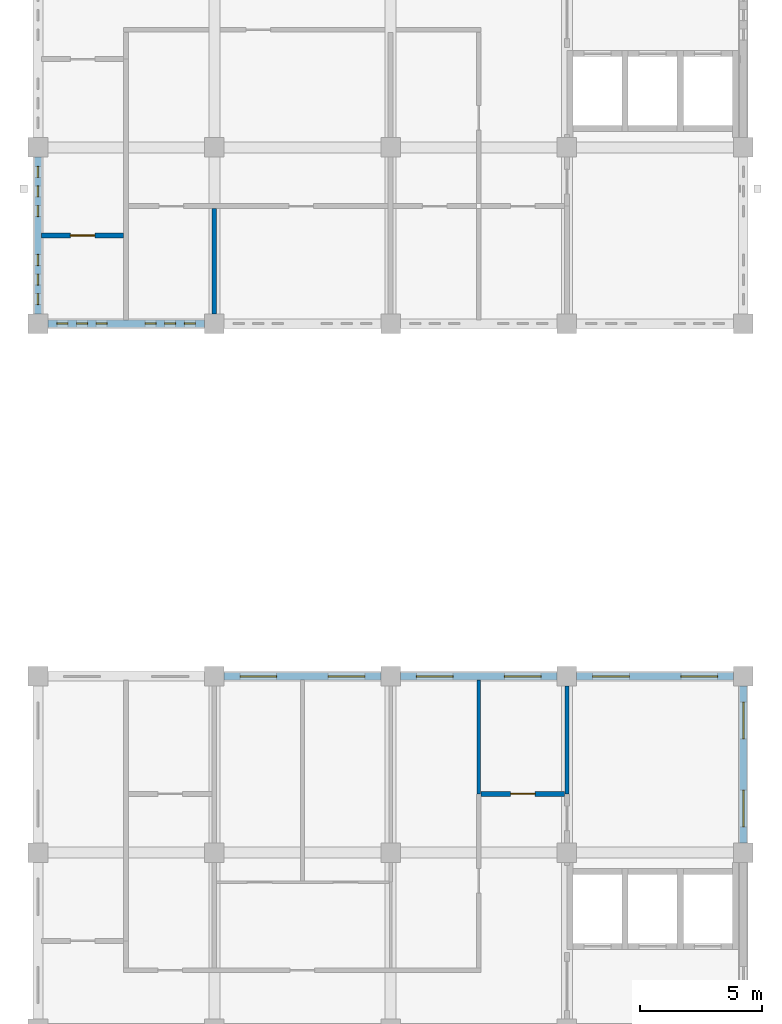
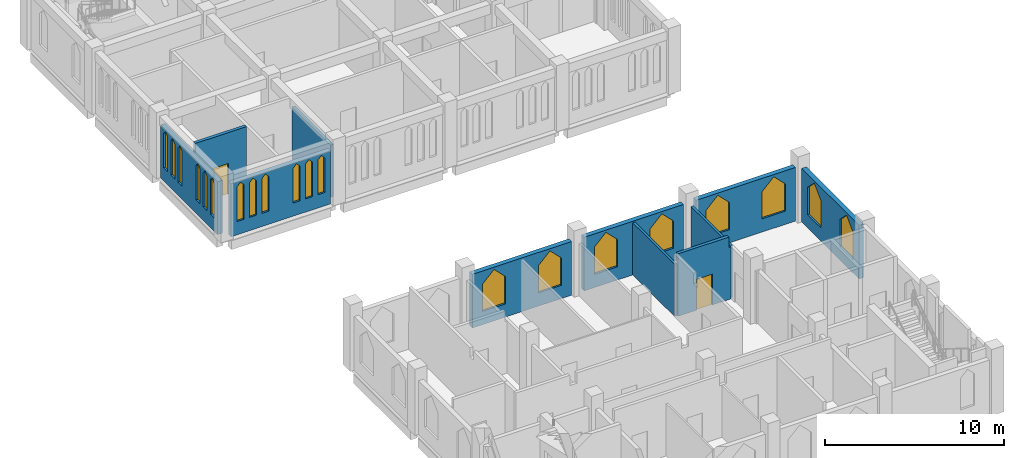
# One storey, part 5 of 13: 20 windows, 11 walls, 2 doors, 22 openings.
"""IFC4 building model written with IfcOpenShell, lengths in metres."""

from ifc_helpers import new_model, si_unit, direction, frame, frame_2d, origin, place, context, subcontext, project, spatial, polyline, rectangle, outline, extrude, material, layer, layer_set, type_object, element, fill, save


model = new_model("IFC4")

# Units and contexts
model_context = context("Model", 3, precision=1e-05, world=origin(), true_north=direction((0.0, 1.0)))
body_context = subcontext(model_context, "Body", "Model", "MODEL_VIEW")
ifc_project = project(units=[si_unit("LENGTHUNIT", "METRE"), si_unit("AREAUNIT", "SQUARE_METRE"), si_unit("VOLUMEUNIT", "CUBIC_METRE"), si_unit("PLANEANGLEUNIT", "RADIAN"), si_unit("MASSUNIT", "GRAM", prefix="KILO")], contexts=[model_context])

# Site, building, storey
site_placement = place(None, origin())
site = spatial("IfcSite", under=ifc_project, at=site_placement, CompositionType="ELEMENT")
building_placement = place(site_placement, origin())
building = spatial("IfcBuilding", under=site, at=building_placement, Name="Silangan Lancet Faculty of Sciences", CompositionType="ELEMENT")
storey_placement = place(building_placement, frame((0.0, 0.0, 49.800048828125)))
storey = spatial("IfcBuildingStorey", under=building, at=storey_placement, Name="L10", CompositionType="ELEMENT", Elevation=49.800048828125)

# Wall, openings, windows
ifc_material_1 = material(Name="Concrete C40/50 precast", Category="concrete")
ifc_layer_1 = layer(ifc_material_1, 0.300048828125)
ifc_layer_set_1 = layer_set([ifc_layer_1], Name="Concrete C40/50 precast")
wall_type_1 = type_object("IfcWallType", Name="EW1 Precast cladding wall", PredefinedType="STANDARD", material=ifc_layer_set_1)
wall_1_placement = place(storey_placement, frame((28.800048828125, 14.800048828125, 0.0), z_axis=(0.0, 0.0, 1.0), x_axis=(0.0, 1.0, 0.0)))
wall_1 = element("IfcWall", 1, at=wall_1_placement, inside=storey, type_object=wall_type_1, Name="EW-L10-E-ST-02", PredefinedType="STANDARD", context=body_context, shape_type="SweptSolid", body=[
    extrude(rectangle(XDim=6.39990234375, YDim=0.300048828125, at=frame_2d((3.199951171875, 0.0))), origin(), (0.0, 0.0, 1.0), 3.64990234375),
])
opening_1_placement = place(wall_1_placement, frame((0.64990234375, 0.0, 0.89990234375)))
opening_1 = element("IfcOpeningElement", 2, at=opening_1_placement, cuts=wall_1, Name="Opening W26", PredefinedType="OPENING", context=body_context, shape_type="SweptSolid", body=[
    extrude(outline(polyline([(0.0, 0.0), (1.5, 0.0), (1.5, 1.85009765625), (0.75, 2.60009765625), (0.0, 1.85009765625), (0.0, 0.0)])), frame((0.0, 0.159912109375, 0.0), z_axis=(0.0, -1.0, 0.0), x_axis=(1.0, 0.0, 0.0)), (0.0, 0.0, 1.0), 0.320068359375),
])
opening_2_placement = place(wall_1_placement, frame((4.25, 0.0, 0.89990234375)))
opening_2 = element("IfcOpeningElement", 3, at=opening_2_placement, cuts=wall_1, Name="Opening W26", PredefinedType="OPENING", context=body_context, shape_type="SweptSolid", body=[
    extrude(outline(polyline([(0.0, 0.0), (1.5, 0.0), (1.5, 1.85009765625), (0.75, 2.60009765625), (0.0, 1.85009765625), (0.0, 0.0)])), frame((0.0, 0.159912109375, 0.0), z_axis=(0.0, -1.0, 0.0), x_axis=(1.0, 0.0, 0.0)), (0.0, 0.0, 1.0), 0.320068359375),
])
ifc_material_2 = material(Name="Aluminium frame, laminated double glazing", Category="aluminium")
window_type_1 = type_object("IfcWindowType", Name="W26 Lancet window 1500 x 2600", PartitioningType="SINGLE_PANEL", PredefinedType="WINDOW", material=ifc_material_2)
window_1_placement = place(opening_1_placement, origin())
window_1 = element("IfcWindow", 4, at=window_1_placement, inside=storey, type_object=window_type_1, Name="WIN-L10-E-ST-02a", OverallHeight=2.60009765625, OverallWidth=1.5, PartitioningType="SINGLE_PANEL", PredefinedType="WINDOW", context=body_context, shape_type="SweptSolid", body=[
    extrude(outline(polyline([(0.0, 0.0), (1.5, 0.0), (1.5, 1.85009765625), (0.75, 2.60009765625), (0.0, 1.85009765625), (0.0, 0.0)])), frame((0.0, 0.030029296875, 0.0), z_axis=(0.0, -1.0, 0.0), x_axis=(1.0, 0.0, 0.0)), (0.0, 0.0, 1.0), 0.06005859375),
])
fill(opening_1, window_1)
window_2_placement = place(opening_2_placement, origin())
window_2 = element("IfcWindow", 5, at=window_2_placement, inside=storey, type_object=window_type_1, Name="WIN-L10-E-ST-02b", OverallHeight=2.60009765625, OverallWidth=1.5, PartitioningType="SINGLE_PANEL", PredefinedType="WINDOW", context=body_context, shape_type="SweptSolid", body=[
    extrude(outline(polyline([(0.0, 0.0), (1.5, 0.0), (1.5, 1.85009765625), (0.75, 2.60009765625), (0.0, 1.85009765625), (0.0, 0.0)])), frame((0.0, 0.030029296875, 0.0), z_axis=(0.0, -1.0, 0.0), x_axis=(1.0, 0.0, 0.0)), (0.0, 0.0, 1.0), 0.06005859375),
])
fill(opening_2, window_2)

wall_2_placement = place(storey_placement, frame((28.39990234375, 21.60009765625, 0.0), z_axis=(0.0, 0.0, 1.0), x_axis=(-1.0, 0.0, 0.0)))
wall_2 = element("IfcWall", 6, at=wall_2_placement, inside=storey, type_object=wall_type_1, Name="EW-L10-N-ST-00", PredefinedType="STANDARD", context=body_context, shape_type="SweptSolid", body=[
    extrude(rectangle(XDim=6.39990234375, YDim=0.300048828125, at=frame_2d((3.199951171875, 0.0))), origin(), (0.0, 0.0, 1.0), 3.64990234375),
])
opening_3_placement = place(wall_2_placement, frame((0.64990234375, 0.0, 0.89990234375)))
opening_3 = element("IfcOpeningElement", 7, at=opening_3_placement, cuts=wall_2, Name="Opening W26", PredefinedType="OPENING", context=body_context, shape_type="SweptSolid", body=[
    extrude(outline(polyline([(0.0, 0.0), (1.5, 0.0), (1.5, 1.85009765625), (0.75, 2.60009765625), (0.0, 1.85009765625), (0.0, 0.0)])), frame((0.0, 0.159912109375, 0.0), z_axis=(0.0, -1.0, 0.0), x_axis=(1.0, 0.0, 0.0)), (0.0, 0.0, 1.0), 0.320068359375),
])
opening_4_placement = place(wall_2_placement, frame((4.25, 0.0, 0.89990234375)))
opening_4 = element("IfcOpeningElement", 8, at=opening_4_placement, cuts=wall_2, Name="Opening W26", PredefinedType="OPENING", context=body_context, shape_type="SweptSolid", body=[
    extrude(outline(polyline([(0.0, 0.0), (1.5, 0.0), (1.5, 1.85009765625), (0.75, 2.60009765625), (0.0, 1.85009765625), (0.0, 0.0)])), frame((0.0, 0.159912109375, 0.0), z_axis=(0.0, -1.0, 0.0), x_axis=(1.0, 0.0, 0.0)), (0.0, 0.0, 1.0), 0.320068359375),
])
window_3_placement = place(opening_3_placement, origin())
window_3 = element("IfcWindow", 9, at=window_3_placement, inside=storey, type_object=window_type_1, Name="WIN-L10-N-ST-00a", OverallHeight=2.60009765625, OverallWidth=1.5, PartitioningType="SINGLE_PANEL", PredefinedType="WINDOW", context=body_context, shape_type="SweptSolid", body=[
    extrude(outline(polyline([(0.0, 0.0), (1.5, 0.0), (1.5, 1.85009765625), (0.75, 2.60009765625), (0.0, 1.85009765625), (0.0, 0.0)])), frame((0.0, 0.030029296875, 0.0), z_axis=(0.0, -1.0, 0.0), x_axis=(1.0, 0.0, 0.0)), (0.0, 0.0, 1.0), 0.06005859375),
])
fill(opening_3, window_3)
window_4_placement = place(opening_4_placement, origin())
window_4 = element("IfcWindow", 10, at=window_4_placement, inside=storey, type_object=window_type_1, Name="WIN-L10-N-ST-00b", OverallHeight=2.60009765625, OverallWidth=1.5, PartitioningType="SINGLE_PANEL", PredefinedType="WINDOW", context=body_context, shape_type="SweptSolid", body=[
    extrude(outline(polyline([(0.0, 0.0), (1.5, 0.0), (1.5, 1.85009765625), (0.75, 2.60009765625), (0.0, 1.85009765625), (0.0, 0.0)])), frame((0.0, 0.030029296875, 0.0), z_axis=(0.0, -1.0, 0.0), x_axis=(1.0, 0.0, 0.0)), (0.0, 0.0, 1.0), 0.06005859375),
])
fill(opening_4, window_4)

wall_3_placement = place(storey_placement, frame((21.199951171875, 21.60009765625, 0.0), z_axis=(0.0, 0.0, 1.0), x_axis=(-1.0, 0.0, 0.0)))
wall_3 = element("IfcWall", 11, at=wall_3_placement, inside=storey, type_object=wall_type_1, Name="EW-L10-N-ST-01", PredefinedType="STANDARD", context=body_context, shape_type="SweptSolid", body=[
    extrude(rectangle(XDim=6.39990234375, YDim=0.300048828125, at=frame_2d((3.199951171875, 0.0))), origin(), (0.0, 0.0, 1.0), 3.64990234375),
])
opening_5_placement = place(wall_3_placement, frame((0.64990234375, 0.0, 0.89990234375)))
opening_5 = element("IfcOpeningElement", 12, at=opening_5_placement, cuts=wall_3, Name="Opening W26", PredefinedType="OPENING", context=body_context, shape_type="SweptSolid", body=[
    extrude(outline(polyline([(0.0, 0.0), (1.5, 0.0), (1.5, 1.85009765625), (0.75, 2.60009765625), (0.0, 1.85009765625), (0.0, 0.0)])), frame((0.0, 0.159912109375, 0.0), z_axis=(0.0, -1.0, 0.0), x_axis=(1.0, 0.0, 0.0)), (0.0, 0.0, 1.0), 0.320068359375),
])
opening_6_placement = place(wall_3_placement, frame((4.25, 0.0, 0.89990234375)))
opening_6 = element("IfcOpeningElement", 13, at=opening_6_placement, cuts=wall_3, Name="Opening W26", PredefinedType="OPENING", context=body_context, shape_type="SweptSolid", body=[
    extrude(outline(polyline([(0.0, 0.0), (1.5, 0.0), (1.5, 1.85009765625), (0.75, 2.60009765625), (0.0, 1.85009765625), (0.0, 0.0)])), frame((0.0, 0.159912109375, 0.0), z_axis=(0.0, -1.0, 0.0), x_axis=(1.0, 0.0, 0.0)), (0.0, 0.0, 1.0), 0.320068359375),
])
window_5_placement = place(opening_5_placement, origin())
window_5 = element("IfcWindow", 14, at=window_5_placement, inside=storey, type_object=window_type_1, Name="WIN-L10-N-ST-01a", OverallHeight=2.60009765625, OverallWidth=1.5, PartitioningType="SINGLE_PANEL", PredefinedType="WINDOW", context=body_context, shape_type="SweptSolid", body=[
    extrude(outline(polyline([(0.0, 0.0), (1.5, 0.0), (1.5, 1.85009765625), (0.75, 2.60009765625), (0.0, 1.85009765625), (0.0, 0.0)])), frame((0.0, 0.030029296875, 0.0), z_axis=(0.0, -1.0, 0.0), x_axis=(1.0, 0.0, 0.0)), (0.0, 0.0, 1.0), 0.06005859375),
])
fill(opening_5, window_5)
window_6_placement = place(opening_6_placement, origin())
window_6 = element("IfcWindow", 15, at=window_6_placement, inside=storey, type_object=window_type_1, Name="WIN-L10-N-ST-01b", OverallHeight=2.60009765625, OverallWidth=1.5, PartitioningType="SINGLE_PANEL", PredefinedType="WINDOW", context=body_context, shape_type="SweptSolid", body=[
    extrude(outline(polyline([(0.0, 0.0), (1.5, 0.0), (1.5, 1.85009765625), (0.75, 2.60009765625), (0.0, 1.85009765625), (0.0, 0.0)])), frame((0.0, 0.030029296875, 0.0), z_axis=(0.0, -1.0, 0.0), x_axis=(1.0, 0.0, 0.0)), (0.0, 0.0, 1.0), 0.06005859375),
])
fill(opening_6, window_6)

wall_4_placement = place(storey_placement, frame((14.0, 21.60009765625, 0.0), z_axis=(0.0, 0.0, 1.0), x_axis=(-1.0, 0.0, 0.0)))
wall_4 = element("IfcWall", 16, at=wall_4_placement, inside=storey, type_object=wall_type_1, Name="EW-L10-N-ST-02", PredefinedType="STANDARD", context=body_context, shape_type="SweptSolid", body=[
    extrude(rectangle(XDim=6.39990234375, YDim=0.300048828125, at=frame_2d((3.199951171875, 0.0))), origin(), (0.0, 0.0, 1.0), 3.64990234375),
])
opening_7_placement = place(wall_4_placement, frame((0.64990234375, 0.0, 0.89990234375)))
opening_7 = element("IfcOpeningElement", 17, at=opening_7_placement, cuts=wall_4, Name="Opening W26", PredefinedType="OPENING", context=body_context, shape_type="SweptSolid", body=[
    extrude(outline(polyline([(0.0, 0.0), (1.5, 0.0), (1.5, 1.85009765625), (0.75, 2.60009765625), (0.0, 1.85009765625), (0.0, 0.0)])), frame((0.0, 0.159912109375, 0.0), z_axis=(0.0, -1.0, 0.0), x_axis=(1.0, 0.0, 0.0)), (0.0, 0.0, 1.0), 0.320068359375),
])
opening_8_placement = place(wall_4_placement, frame((4.25, 0.0, 0.89990234375)))
opening_8 = element("IfcOpeningElement", 18, at=opening_8_placement, cuts=wall_4, Name="Opening W26", PredefinedType="OPENING", context=body_context, shape_type="SweptSolid", body=[
    extrude(outline(polyline([(0.0, 0.0), (1.5, 0.0), (1.5, 1.85009765625), (0.75, 2.60009765625), (0.0, 1.85009765625), (0.0, 0.0)])), frame((0.0, 0.159912109375, 0.0), z_axis=(0.0, -1.0, 0.0), x_axis=(1.0, 0.0, 0.0)), (0.0, 0.0, 1.0), 0.320068359375),
])
window_7_placement = place(opening_7_placement, origin())
window_7 = element("IfcWindow", 19, at=window_7_placement, inside=storey, type_object=window_type_1, Name="WIN-L10-N-ST-02a", OverallHeight=2.60009765625, OverallWidth=1.5, PartitioningType="SINGLE_PANEL", PredefinedType="WINDOW", context=body_context, shape_type="SweptSolid", body=[
    extrude(outline(polyline([(0.0, 0.0), (1.5, 0.0), (1.5, 1.85009765625), (0.75, 2.60009765625), (0.0, 1.85009765625), (0.0, 0.0)])), frame((0.0, 0.030029296875, 0.0), z_axis=(0.0, -1.0, 0.0), x_axis=(1.0, 0.0, 0.0)), (0.0, 0.0, 1.0), 0.06005859375),
])
fill(opening_7, window_7)
window_8_placement = place(opening_8_placement, origin())
window_8 = element("IfcWindow", 20, at=window_8_placement, inside=storey, type_object=window_type_1, Name="WIN-L10-N-ST-02b", OverallHeight=2.60009765625, OverallWidth=1.5, PartitioningType="SINGLE_PANEL", PredefinedType="WINDOW", context=body_context, shape_type="SweptSolid", body=[
    extrude(outline(polyline([(0.0, 0.0), (1.5, 0.0), (1.5, 1.85009765625), (0.75, 2.60009765625), (0.0, 1.85009765625), (0.0, 0.0)])), frame((0.0, 0.030029296875, 0.0), z_axis=(0.0, -1.0, 0.0), x_axis=(1.0, 0.0, 0.0)), (0.0, 0.0, 1.0), 0.06005859375),
])
fill(opening_8, window_8)

ifc_material_3 = material(Name="Concrete C40/50", Category="concrete")
ifc_layer_2 = layer(ifc_material_3, 0.300048828125)
ifc_layer_set_2 = layer_set([ifc_layer_2], Name="Concrete C40/50")
wall_type_2 = type_object("IfcWallType", Name="EW7 Rendered attic wall", PredefinedType="STANDARD", material=ifc_layer_set_2)
wall_5_placement = place(storey_placement, frame((0.0, 36.39990234375, 0.0), z_axis=(0.0, 0.0, 1.0), x_axis=(0.0, 1.0, 0.0)))
wall_5 = element("IfcWall", 21, at=wall_5_placement, inside=storey, type_object=wall_type_2, Name="EW-L10-W-NT-00", PredefinedType="STANDARD", context=body_context, shape_type="SweptSolid", body=[
    extrude(rectangle(XDim=6.400146484375, YDim=0.300048828125, at=frame_2d((3.2001953125, 0.0))), origin(), (0.0, 0.0, 1.0), 3.599853515625),
])
opening_9_placement = place(wall_5_placement, frame((0.375, 0.0, 0.89990234375)))
opening_9 = element("IfcOpeningElement", 22, at=opening_9_placement, cuts=wall_5, Name="Opening W24", PredefinedType="OPENING", context=body_context, shape_type="SweptSolid", body=[
    extrude(outline(polyline([(0.0, 0.0), (0.449951171875, 0.0), (0.449951171875, 2.35009765625), (0.22509765625, 2.60009765625), (0.0, 2.35009765625), (0.0, 0.0)])), frame((0.0, 0.159912109375, 0.0), z_axis=(0.0, -1.0, 0.0), x_axis=(1.0, 0.0, 0.0)), (0.0, 0.0, 1.0), 0.320068359375),
])
opening_10_placement = place(wall_5_placement, frame((1.175048828125, 0.0, 0.89990234375)))
opening_10 = element("IfcOpeningElement", 23, at=opening_10_placement, cuts=wall_5, Name="Opening W24", PredefinedType="OPENING", context=body_context, shape_type="SweptSolid", body=[
    extrude(outline(polyline([(0.0, 0.0), (0.449951171875, 0.0), (0.449951171875, 2.35009765625), (0.22509765625, 2.60009765625), (0.0, 2.35009765625), (0.0, 0.0)])), frame((0.0, 0.159912109375, 0.0), z_axis=(0.0, -1.0, 0.0), x_axis=(1.0, 0.0, 0.0)), (0.0, 0.0, 1.0), 0.320068359375),
])
opening_11_placement = place(wall_5_placement, frame((1.97509765625, 0.0, 0.89990234375)))
opening_11 = element("IfcOpeningElement", 24, at=opening_11_placement, cuts=wall_5, Name="Opening W24", PredefinedType="OPENING", context=body_context, shape_type="SweptSolid", body=[
    extrude(outline(polyline([(0.0, 0.0), (0.449951171875, 0.0), (0.449951171875, 2.35009765625), (0.22509765625, 2.60009765625), (0.0, 2.35009765625), (0.0, 0.0)])), frame((0.0, 0.159912109375, 0.0), z_axis=(0.0, -1.0, 0.0), x_axis=(1.0, 0.0, 0.0)), (0.0, 0.0, 1.0), 0.320068359375),
])
opening_12_placement = place(wall_5_placement, frame((3.97509765625, 0.0, 0.89990234375)))
opening_12 = element("IfcOpeningElement", 25, at=opening_12_placement, cuts=wall_5, Name="Opening W24", PredefinedType="OPENING", context=body_context, shape_type="SweptSolid", body=[
    extrude(outline(polyline([(0.0, 0.0), (0.449951171875, 0.0), (0.449951171875, 2.35009765625), (0.22509765625, 2.60009765625), (0.0, 2.35009765625), (0.0, 0.0)])), frame((0.0, 0.159912109375, 0.0), z_axis=(0.0, -1.0, 0.0), x_axis=(1.0, 0.0, 0.0)), (0.0, 0.0, 1.0), 0.320068359375),
])
opening_13_placement = place(wall_5_placement, frame((4.77490234375, 0.0, 0.89990234375)))
opening_13 = element("IfcOpeningElement", 26, at=opening_13_placement, cuts=wall_5, Name="Opening W24", PredefinedType="OPENING", context=body_context, shape_type="SweptSolid", body=[
    extrude(outline(polyline([(0.0, 0.0), (0.449951171875, 0.0), (0.449951171875, 2.35009765625), (0.22509765625, 2.60009765625), (0.0, 2.35009765625), (0.0, 0.0)])), frame((0.0, 0.159912109375, 0.0), z_axis=(0.0, -1.0, 0.0), x_axis=(1.0, 0.0, 0.0)), (0.0, 0.0, 1.0), 0.320068359375),
])
opening_14_placement = place(wall_5_placement, frame((5.574951171875, 0.0, 0.89990234375)))
opening_14 = element("IfcOpeningElement", 27, at=opening_14_placement, cuts=wall_5, Name="Opening W24", PredefinedType="OPENING", context=body_context, shape_type="SweptSolid", body=[
    extrude(outline(polyline([(0.0, 0.0), (0.449951171875, 0.0), (0.449951171875, 2.35009765625), (0.22509765625, 2.60009765625), (0.0, 2.35009765625), (0.0, 0.0)])), frame((0.0, 0.159912109375, 0.0), z_axis=(0.0, -1.0, 0.0), x_axis=(1.0, 0.0, 0.0)), (0.0, 0.0, 1.0), 0.320068359375),
])
ifc_material_4 = material(Name="Aluminium frame, laminated double glazing", Category="aluminium")
window_type_2 = type_object("IfcWindowType", Name="W24 Lancet window 450 x 2600", PartitioningType="SINGLE_PANEL", PredefinedType="WINDOW", material=ifc_material_4)
window_9_placement = place(opening_9_placement, origin())
window_9 = element("IfcWindow", 28, at=window_9_placement, inside=storey, type_object=window_type_2, Name="WIN-L10-W-NT-00a1", OverallHeight=2.60009765625, OverallWidth=0.449951171875, PartitioningType="SINGLE_PANEL", PredefinedType="WINDOW", context=body_context, shape_type="SweptSolid", body=[
    extrude(outline(polyline([(0.0, 0.0), (0.449951171875, 0.0), (0.449951171875, 2.35009765625), (0.22509765625, 2.60009765625), (0.0, 2.35009765625), (0.0, 0.0)])), frame((0.0, 0.030029296875, 0.0), z_axis=(0.0, -1.0, 0.0), x_axis=(1.0, 0.0, 0.0)), (0.0, 0.0, 1.0), 0.06005859375),
])
fill(opening_9, window_9)
window_10_placement = place(opening_10_placement, origin())
window_10 = element("IfcWindow", 29, at=window_10_placement, inside=storey, type_object=window_type_2, Name="WIN-L10-W-NT-00a2", OverallHeight=2.60009765625, OverallWidth=0.449951171875, PartitioningType="SINGLE_PANEL", PredefinedType="WINDOW", context=body_context, shape_type="SweptSolid", body=[
    extrude(outline(polyline([(0.0, 0.0), (0.449951171875, 0.0), (0.449951171875, 2.35009765625), (0.22509765625, 2.60009765625), (0.0, 2.35009765625), (0.0, 0.0)])), frame((0.0, 0.030029296875, 0.0), z_axis=(0.0, -1.0, 0.0), x_axis=(1.0, 0.0, 0.0)), (0.0, 0.0, 1.0), 0.06005859375),
])
fill(opening_10, window_10)
window_11_placement = place(opening_11_placement, origin())
window_11 = element("IfcWindow", 30, at=window_11_placement, inside=storey, type_object=window_type_2, Name="WIN-L10-W-NT-00a3", OverallHeight=2.60009765625, OverallWidth=0.449951171875, PartitioningType="SINGLE_PANEL", PredefinedType="WINDOW", context=body_context, shape_type="SweptSolid", body=[
    extrude(outline(polyline([(0.0, 0.0), (0.449951171875, 0.0), (0.449951171875, 2.35009765625), (0.22509765625, 2.60009765625), (0.0, 2.35009765625), (0.0, 0.0)])), frame((0.0, 0.030029296875, 0.0), z_axis=(0.0, -1.0, 0.0), x_axis=(1.0, 0.0, 0.0)), (0.0, 0.0, 1.0), 0.06005859375),
])
fill(opening_11, window_11)
window_12_placement = place(opening_12_placement, origin())
window_12 = element("IfcWindow", 31, at=window_12_placement, inside=storey, type_object=window_type_2, Name="WIN-L10-W-NT-00b1", OverallHeight=2.60009765625, OverallWidth=0.449951171875, PartitioningType="SINGLE_PANEL", PredefinedType="WINDOW", context=body_context, shape_type="SweptSolid", body=[
    extrude(outline(polyline([(0.0, 0.0), (0.449951171875, 0.0), (0.449951171875, 2.35009765625), (0.22509765625, 2.60009765625), (0.0, 2.35009765625), (0.0, 0.0)])), frame((0.0, 0.030029296875, 0.0), z_axis=(0.0, -1.0, 0.0), x_axis=(1.0, 0.0, 0.0)), (0.0, 0.0, 1.0), 0.06005859375),
])
fill(opening_12, window_12)
window_13_placement = place(opening_13_placement, origin())
window_13 = element("IfcWindow", 32, at=window_13_placement, inside=storey, type_object=window_type_2, Name="WIN-L10-W-NT-00b2", OverallHeight=2.60009765625, OverallWidth=0.449951171875, PartitioningType="SINGLE_PANEL", PredefinedType="WINDOW", context=body_context, shape_type="SweptSolid", body=[
    extrude(outline(polyline([(0.0, 0.0), (0.449951171875, 0.0), (0.449951171875, 2.35009765625), (0.22509765625, 2.60009765625), (0.0, 2.35009765625), (0.0, 0.0)])), frame((0.0, 0.030029296875, 0.0), z_axis=(0.0, -1.0, 0.0), x_axis=(1.0, 0.0, 0.0)), (0.0, 0.0, 1.0), 0.06005859375),
])
fill(opening_13, window_13)
window_14_placement = place(opening_14_placement, origin())
window_14 = element("IfcWindow", 33, at=window_14_placement, inside=storey, type_object=window_type_2, Name="WIN-L10-W-NT-00b3", OverallHeight=2.60009765625, OverallWidth=0.449951171875, PartitioningType="SINGLE_PANEL", PredefinedType="WINDOW", context=body_context, shape_type="SweptSolid", body=[
    extrude(outline(polyline([(0.0, 0.0), (0.449951171875, 0.0), (0.449951171875, 2.35009765625), (0.22509765625, 2.60009765625), (0.0, 2.35009765625), (0.0, 0.0)])), frame((0.0, 0.030029296875, 0.0), z_axis=(0.0, -1.0, 0.0), x_axis=(1.0, 0.0, 0.0)), (0.0, 0.0, 1.0), 0.06005859375),
])
fill(opening_14, window_14)

wall_6_placement = place(storey_placement, frame((0.39990234375, 36.0, 0.0), z_axis=(0.0, 0.0, 1.0), x_axis=(1.0, 0.0, 0.0)))
wall_6 = element("IfcWall", 34, at=wall_6_placement, inside=storey, type_object=wall_type_2, Name="EW-L10-S-NT-00", PredefinedType="STANDARD", context=body_context, shape_type="SweptSolid", body=[
    extrude(rectangle(XDim=6.400146484375, YDim=0.300048828125, at=frame_2d((3.2001953125, 0.0))), origin(), (0.0, 0.0, 1.0), 3.599853515625),
])
opening_15_placement = place(wall_6_placement, frame((0.375, 0.0, 0.89990234375)))
opening_15 = element("IfcOpeningElement", 35, at=opening_15_placement, cuts=wall_6, Name="Opening W24", PredefinedType="OPENING", context=body_context, shape_type="SweptSolid", body=[
    extrude(outline(polyline([(0.0, 0.0), (0.449951171875, 0.0), (0.449951171875, 2.35009765625), (0.22509765625, 2.60009765625), (0.0, 2.35009765625), (0.0, 0.0)])), frame((0.0, 0.159912109375, 0.0), z_axis=(0.0, -1.0, 0.0), x_axis=(1.0, 0.0, 0.0)), (0.0, 0.0, 1.0), 0.320068359375),
])
opening_16_placement = place(wall_6_placement, frame((1.175048828125, 0.0, 0.89990234375)))
opening_16 = element("IfcOpeningElement", 36, at=opening_16_placement, cuts=wall_6, Name="Opening W24", PredefinedType="OPENING", context=body_context, shape_type="SweptSolid", body=[
    extrude(outline(polyline([(0.0, 0.0), (0.449951171875, 0.0), (0.449951171875, 2.35009765625), (0.22509765625, 2.60009765625), (0.0, 2.35009765625), (0.0, 0.0)])), frame((0.0, 0.159912109375, 0.0), z_axis=(0.0, -1.0, 0.0), x_axis=(1.0, 0.0, 0.0)), (0.0, 0.0, 1.0), 0.320068359375),
])
opening_17_placement = place(wall_6_placement, frame((1.97509765625, 0.0, 0.89990234375)))
opening_17 = element("IfcOpeningElement", 37, at=opening_17_placement, cuts=wall_6, Name="Opening W24", PredefinedType="OPENING", context=body_context, shape_type="SweptSolid", body=[
    extrude(outline(polyline([(0.0, 0.0), (0.449951171875, 0.0), (0.449951171875, 2.35009765625), (0.22509765625, 2.60009765625), (0.0, 2.35009765625), (0.0, 0.0)])), frame((0.0, 0.159912109375, 0.0), z_axis=(0.0, -1.0, 0.0), x_axis=(1.0, 0.0, 0.0)), (0.0, 0.0, 1.0), 0.320068359375),
])
opening_18_placement = place(wall_6_placement, frame((3.97509765625, 0.0, 0.89990234375)))
opening_18 = element("IfcOpeningElement", 38, at=opening_18_placement, cuts=wall_6, Name="Opening W24", PredefinedType="OPENING", context=body_context, shape_type="SweptSolid", body=[
    extrude(outline(polyline([(0.0, 0.0), (0.449951171875, 0.0), (0.449951171875, 2.35009765625), (0.22509765625, 2.60009765625), (0.0, 2.35009765625), (0.0, 0.0)])), frame((0.0, 0.159912109375, 0.0), z_axis=(0.0, -1.0, 0.0), x_axis=(1.0, 0.0, 0.0)), (0.0, 0.0, 1.0), 0.320068359375),
])
opening_19_placement = place(wall_6_placement, frame((4.77490234375, 0.0, 0.89990234375)))
opening_19 = element("IfcOpeningElement", 39, at=opening_19_placement, cuts=wall_6, Name="Opening W24", PredefinedType="OPENING", context=body_context, shape_type="SweptSolid", body=[
    extrude(outline(polyline([(0.0, 0.0), (0.449951171875, 0.0), (0.449951171875, 2.35009765625), (0.22509765625, 2.60009765625), (0.0, 2.35009765625), (0.0, 0.0)])), frame((0.0, 0.159912109375, 0.0), z_axis=(0.0, -1.0, 0.0), x_axis=(1.0, 0.0, 0.0)), (0.0, 0.0, 1.0), 0.320068359375),
])
opening_20_placement = place(wall_6_placement, frame((5.574951171875, 0.0, 0.89990234375)))
opening_20 = element("IfcOpeningElement", 40, at=opening_20_placement, cuts=wall_6, Name="Opening W24", PredefinedType="OPENING", context=body_context, shape_type="SweptSolid", body=[
    extrude(outline(polyline([(0.0, 0.0), (0.449951171875, 0.0), (0.449951171875, 2.35009765625), (0.22509765625, 2.60009765625), (0.0, 2.35009765625), (0.0, 0.0)])), frame((0.0, 0.159912109375, 0.0), z_axis=(0.0, -1.0, 0.0), x_axis=(1.0, 0.0, 0.0)), (0.0, 0.0, 1.0), 0.320068359375),
])
window_15_placement = place(opening_15_placement, origin())
window_15 = element("IfcWindow", 41, at=window_15_placement, inside=storey, type_object=window_type_2, Name="WIN-L10-S-NT-00a1", OverallHeight=2.60009765625, OverallWidth=0.449951171875, PartitioningType="SINGLE_PANEL", PredefinedType="WINDOW", context=body_context, shape_type="SweptSolid", body=[
    extrude(outline(polyline([(0.0, 0.0), (0.449951171875, 0.0), (0.449951171875, 2.35009765625), (0.22509765625, 2.60009765625), (0.0, 2.35009765625), (0.0, 0.0)])), frame((0.0, 0.030029296875, 0.0), z_axis=(0.0, -1.0, 0.0), x_axis=(1.0, 0.0, 0.0)), (0.0, 0.0, 1.0), 0.06005859375),
])
fill(opening_15, window_15)
window_16_placement = place(opening_16_placement, origin())
window_16 = element("IfcWindow", 42, at=window_16_placement, inside=storey, type_object=window_type_2, Name="WIN-L10-S-NT-00a2", OverallHeight=2.60009765625, OverallWidth=0.449951171875, PartitioningType="SINGLE_PANEL", PredefinedType="WINDOW", context=body_context, shape_type="SweptSolid", body=[
    extrude(outline(polyline([(0.0, 0.0), (0.449951171875, 0.0), (0.449951171875, 2.35009765625), (0.22509765625, 2.60009765625), (0.0, 2.35009765625), (0.0, 0.0)])), frame((0.0, 0.030029296875, 0.0), z_axis=(0.0, -1.0, 0.0), x_axis=(1.0, 0.0, 0.0)), (0.0, 0.0, 1.0), 0.06005859375),
])
fill(opening_16, window_16)
window_17_placement = place(opening_17_placement, origin())
window_17 = element("IfcWindow", 43, at=window_17_placement, inside=storey, type_object=window_type_2, Name="WIN-L10-S-NT-00a3", OverallHeight=2.60009765625, OverallWidth=0.449951171875, PartitioningType="SINGLE_PANEL", PredefinedType="WINDOW", context=body_context, shape_type="SweptSolid", body=[
    extrude(outline(polyline([(0.0, 0.0), (0.449951171875, 0.0), (0.449951171875, 2.35009765625), (0.22509765625, 2.60009765625), (0.0, 2.35009765625), (0.0, 0.0)])), frame((0.0, 0.030029296875, 0.0), z_axis=(0.0, -1.0, 0.0), x_axis=(1.0, 0.0, 0.0)), (0.0, 0.0, 1.0), 0.06005859375),
])
fill(opening_17, window_17)
window_18_placement = place(opening_18_placement, origin())
window_18 = element("IfcWindow", 44, at=window_18_placement, inside=storey, type_object=window_type_2, Name="WIN-L10-S-NT-00b1", OverallHeight=2.60009765625, OverallWidth=0.449951171875, PartitioningType="SINGLE_PANEL", PredefinedType="WINDOW", context=body_context, shape_type="SweptSolid", body=[
    extrude(outline(polyline([(0.0, 0.0), (0.449951171875, 0.0), (0.449951171875, 2.35009765625), (0.22509765625, 2.60009765625), (0.0, 2.35009765625), (0.0, 0.0)])), frame((0.0, 0.030029296875, 0.0), z_axis=(0.0, -1.0, 0.0), x_axis=(1.0, 0.0, 0.0)), (0.0, 0.0, 1.0), 0.06005859375),
])
fill(opening_18, window_18)
window_19_placement = place(opening_19_placement, origin())
window_19 = element("IfcWindow", 45, at=window_19_placement, inside=storey, type_object=window_type_2, Name="WIN-L10-S-NT-00b2", OverallHeight=2.60009765625, OverallWidth=0.449951171875, PartitioningType="SINGLE_PANEL", PredefinedType="WINDOW", context=body_context, shape_type="SweptSolid", body=[
    extrude(outline(polyline([(0.0, 0.0), (0.449951171875, 0.0), (0.449951171875, 2.35009765625), (0.22509765625, 2.60009765625), (0.0, 2.35009765625), (0.0, 0.0)])), frame((0.0, 0.030029296875, 0.0), z_axis=(0.0, -1.0, 0.0), x_axis=(1.0, 0.0, 0.0)), (0.0, 0.0, 1.0), 0.06005859375),
])
fill(opening_19, window_19)
window_20_placement = place(opening_20_placement, origin())
window_20 = element("IfcWindow", 46, at=window_20_placement, inside=storey, type_object=window_type_2, Name="WIN-L10-S-NT-00b3", OverallHeight=2.60009765625, OverallWidth=0.449951171875, PartitioningType="SINGLE_PANEL", PredefinedType="WINDOW", context=body_context, shape_type="SweptSolid", body=[
    extrude(outline(polyline([(0.0, 0.0), (0.449951171875, 0.0), (0.449951171875, 2.35009765625), (0.22509765625, 2.60009765625), (0.0, 2.35009765625), (0.0, 0.0)])), frame((0.0, 0.030029296875, 0.0), z_axis=(0.0, -1.0, 0.0), x_axis=(1.0, 0.0, 0.0)), (0.0, 0.0, 1.0), 0.06005859375),
])
fill(opening_20, window_20)

# Wall, opening, door
ifc_material_5 = material(Name="Hollow block masonry fm 7 MPa", Category="masonry")
ifc_layer_3 = layer(ifc_material_5, 0.199951171875)
ifc_layer_set_3 = layer_set([ifc_layer_3], Name="Hollow block masonry fm 7 MPa")
wall_type_3 = type_object("IfcWallType", Name="Interior wall PW1 Corridor wall CHB 200", PredefinedType="PARTITIONING", material=ifc_layer_set_3)
wall_7_placement = place(storey_placement, frame((18.10009765625, 16.800048828125, 0.0), z_axis=(0.0, 0.0, 1.0), x_axis=(1.0, 0.0, 0.0)))
wall_7 = element("IfcWall", 47, at=wall_7_placement, inside=storey, type_object=wall_type_3, Name="Corridor wall CHB 200", PredefinedType="PARTITIONING", context=body_context, shape_type="SweptSolid", body=[
    extrude(outline(polyline([(0.0, 0.0), (3.39990234375, 0.0), (3.39990234375, 3.550048828125), (3.27490234375, 3.550048828125), (3.27490234375, 4.25), (0.0, 4.25), (0.0, 0.0)])), frame((0.0, 0.10009765625, 0.0), z_axis=(0.0, -1.0, 0.0), x_axis=(1.0, 0.0, 0.0)), (0.0, 0.0, 1.0), 0.199951171875),
])
opening_21_placement = place(wall_7_placement, frame((1.199951171875, 0.0, 0.0)))
opening_21 = element("IfcOpeningElement", 48, at=opening_21_placement, cuts=wall_7, Name="Opening L10-011", PredefinedType="OPENING", context=body_context, shape_type="SweptSolid", body=[
    extrude(rectangle(XDim=1.0, YDim=2.10009765625, at=frame_2d((0.5, 1.050048828125))), frame((0.0, 0.10986328125, 0.0), z_axis=(0.0, -1.0, 0.0), x_axis=(1.0, 0.0, 0.0)), (0.0, 0.0, 1.0), 0.219970703125),
])
ifc_material_6 = material(Name="Steel fire door set", Category="steel")
door_type = type_object("IfcDoorType", Name="Door D1 Single leaf fire door 1000 x 2100", OperationType="SINGLE_SWING_LEFT", PredefinedType="DOOR", material=ifc_material_6)
door_1_placement = place(opening_21_placement, origin())
door_1 = element("IfcDoor", 49, at=door_1_placement, inside=storey, type_object=door_type, Name="Single leaf fire door 1000 x 2100", OperationType="SINGLE_SWING_LEFT", OverallHeight=2.10009765625, OverallWidth=1.0, PredefinedType="DOOR", context=body_context, shape_type="SweptSolid", body=[
    extrude(rectangle(XDim=1.0, YDim=2.10009765625, at=frame_2d((0.5, 1.050048828125))), frame((0.0, 0.02490234375, 0.0), z_axis=(0.0, -1.0, 0.0), x_axis=(1.0, 0.0, 0.0)), (0.0, 0.0, 1.0), 0.050048828125),
])
fill(opening_21, door_1)

# Walls
ifc_material_7 = material(Name="Hollow block masonry fm 7 MPa", Category="masonry")
ifc_layer_4 = layer(ifc_material_7, 0.14990234375)
ifc_layer_set_4 = layer_set([ifc_layer_4], Name="Hollow block masonry fm 7 MPa")
wall_type_4 = type_object("IfcWallType", Name="Interior wall PW3 Partition CHB 150", PredefinedType="PARTITIONING", material=ifc_layer_set_4)
wall_8_placement = place(storey_placement, frame((18.0, 16.800048828125, 0.0), z_axis=(0.0, 0.0, 1.0), x_axis=(0.0, 1.0, 0.0)))
element("IfcWall", 50, at=wall_8_placement, inside=storey, type_object=wall_type_4, Name="Partition CHB 150", PredefinedType="PARTITIONING", context=body_context, shape_type="SweptSolid", body=[
    extrude(rectangle(XDim=4.64990234375, YDim=0.14990234375, at=frame_2d((2.324951171875, 0.0))), origin(), (0.0, 0.0, 1.0), 3.550048828125),
])
wall_9_placement = place(storey_placement, frame((21.60009765625, 16.800048828125, 0.0), z_axis=(0.0, 0.0, 1.0), x_axis=(0.0, 1.0, 0.0)))
element("IfcWall", 51, at=wall_9_placement, inside=storey, type_object=wall_type_4, Name="Partition CHB 150", PredefinedType="PARTITIONING", context=body_context, shape_type="SweptSolid", body=[
    extrude(rectangle(XDim=4.39990234375, YDim=0.14990234375, at=frame_2d((2.199951171875, 0.0))), origin(), (0.0, 0.0, 1.0), 3.550048828125),
])

# Wall, opening, door
ifc_material_8 = material(Name="Hollow block masonry fm 7 MPa", Category="masonry")
ifc_layer_5 = layer(ifc_material_8, 0.199951171875)
ifc_layer_set_5 = layer_set([ifc_layer_5], Name="Hollow block masonry fm 7 MPa")
wall_type_5 = type_object("IfcWallType", Name="Interior wall PW4 Laboratory separation CHB 200", PredefinedType="PARTITIONING", material=ifc_layer_set_5)
wall_10_placement = place(storey_placement, frame((0.14990234375, 39.60009765625, 0.0), z_axis=(0.0, 0.0, 1.0), x_axis=(1.0, 0.0, 0.0)))
wall_10 = element("IfcWall", 52, at=wall_10_placement, inside=storey, type_object=wall_type_5, Name="Laboratory separation CHB 200", PredefinedType="PARTITIONING", context=body_context, shape_type="SweptSolid", body=[
    extrude(outline(polyline([(0.0, 0.0), (3.35009765625, 0.0), (3.35009765625, 4.199951171875), (0.050048828125, 4.199951171875), (0.050048828125, 3.599853515625), (0.0, 3.599853515625), (0.0, 0.0)])), frame((0.0, 0.10009765625, 0.0), z_axis=(0.0, -1.0, 0.0), x_axis=(1.0, 0.0, 0.0)), (0.0, 0.0, 1.0), 0.199951171875),
])
opening_22_placement = place(wall_10_placement, frame((1.175048828125, 0.0, 0.0)))
opening_22 = element("IfcOpeningElement", 53, at=opening_22_placement, cuts=wall_10, Name="Opening L10-027", PredefinedType="OPENING", context=body_context, shape_type="SweptSolid", body=[
    extrude(rectangle(XDim=1.0, YDim=2.10009765625, at=frame_2d((0.5, 1.050048828125))), frame((0.0, 0.10986328125, 0.0), z_axis=(0.0, -1.0, 0.0), x_axis=(1.0, 0.0, 0.0)), (0.0, 0.0, 1.0), 0.219970703125),
])
door_2_placement = place(opening_22_placement, frame((1.0, 0.0, 0.0), z_axis=(0.0, 0.0, 1.0), x_axis=(-1.0, 0.0, 0.0)))
door_2 = element("IfcDoor", 54, at=door_2_placement, inside=storey, type_object=door_type, Name="Single leaf fire door 1000 x 2100", OperationType="SINGLE_SWING_RIGHT", OverallHeight=2.10009765625, OverallWidth=1.0, PredefinedType="DOOR", context=body_context, shape_type="SweptSolid", body=[
    extrude(rectangle(XDim=1.0, YDim=2.10009765625, at=frame_2d((0.5, 1.050048828125))), frame((0.0, 0.025146484375, 0.0), z_axis=(0.0, -1.0, 0.0), x_axis=(1.0, 0.0, 0.0)), (0.0, 0.0, 1.0), 0.050048828125),
])
fill(opening_22, door_2)

# Wall
wall_11_placement = place(storey_placement, frame((7.199951171875, 36.39990234375, 0.0), z_axis=(0.0, 0.0, 1.0), x_axis=(0.0, 1.0, 0.0)))
element("IfcWall", 55, at=wall_11_placement, inside=storey, type_object=wall_type_5, Name="Laboratory separation CHB 200", PredefinedType="PARTITIONING", context=body_context, shape_type="SweptSolid", body=[
    extrude(rectangle(XDim=4.300048828125, YDim=0.199951171875, at=frame_2d((2.14990234375, 0.0))), origin(), (0.0, 0.0, 1.0), 3.550048828125),
])

save(model, "model.ifc")
